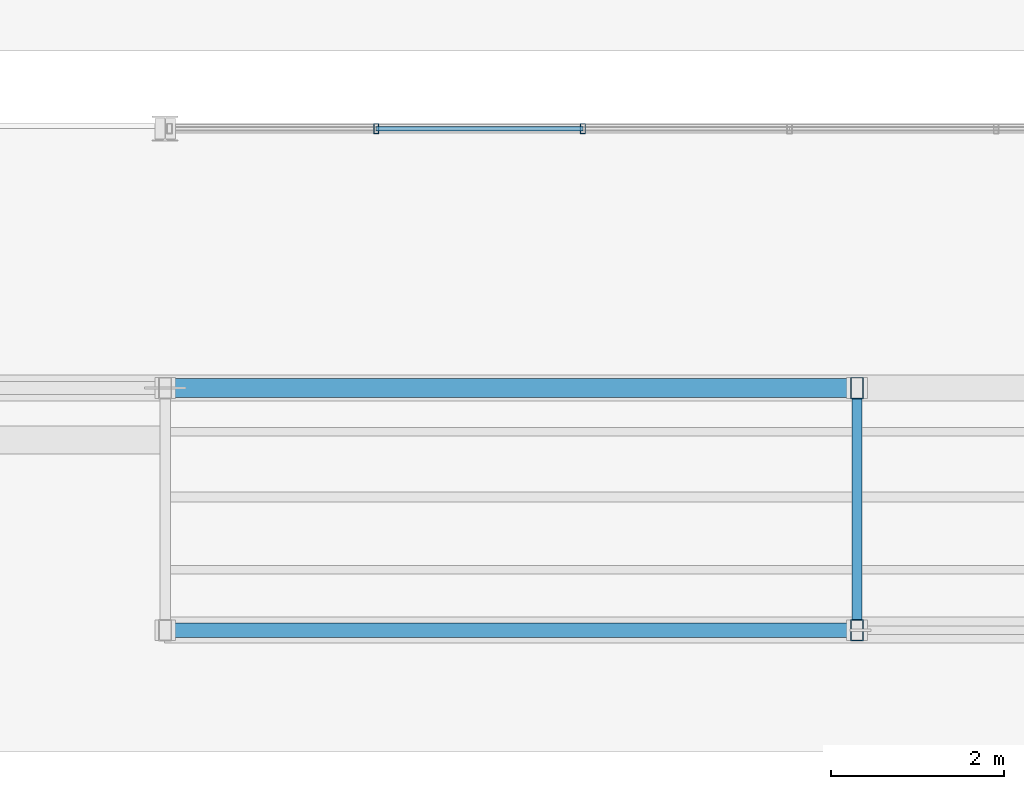
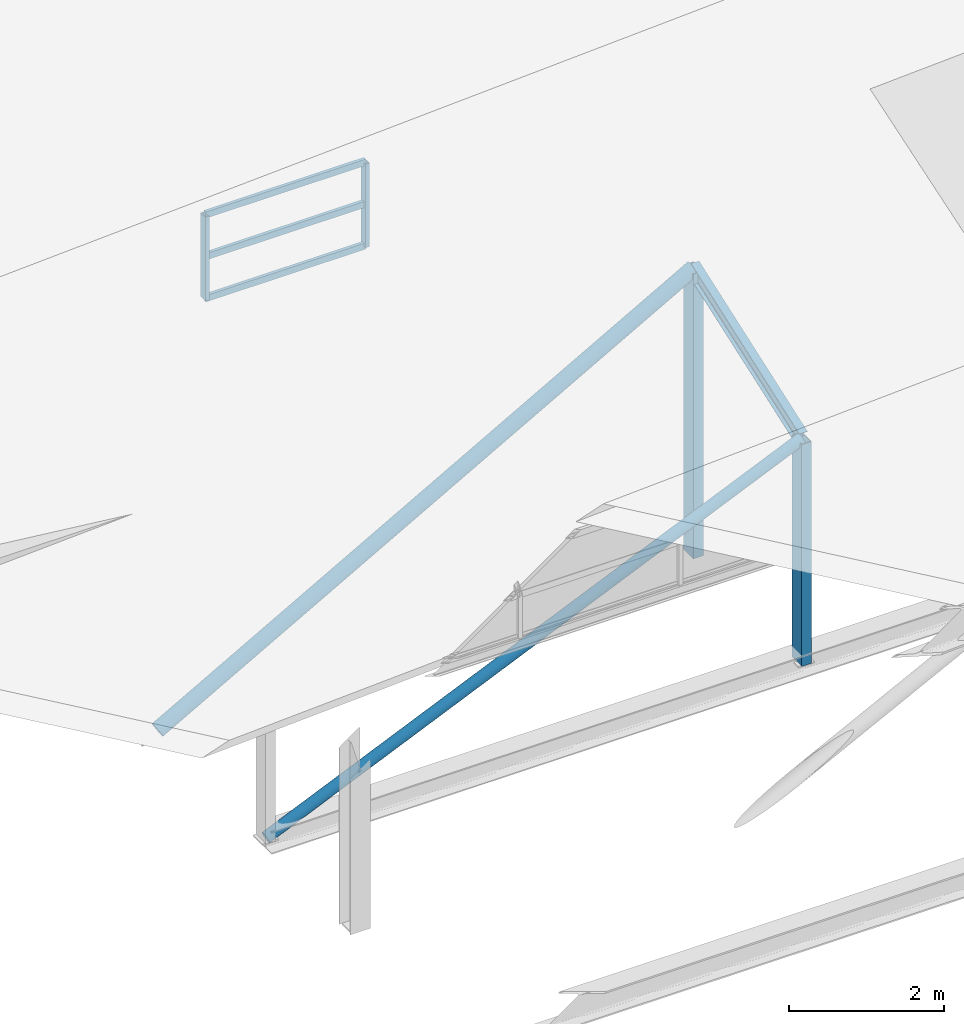
# One storey, part 72 of 141: 10 members, 1 element without a shape of its own.
"""IFC4 building model written with IfcOpenShell, lengths in metres."""

from ifc_helpers import new_model, si_unit, direction, frame, origin, origin_2d, place, context, subcontext, project, spatial, hollow_rectangle, hollow_circle, i_section, extrude, material, material_profile, profile_set, type_object, element, aggregate, save


model = new_model("IFC4")

# Units and contexts
model_context = context("Model", 3, precision=1e-05, world=origin(), true_north=direction((0.0, 1.0)))
body_context = subcontext(model_context, "Body", "Model", "MODEL_VIEW")
ifc_project = project(units=[si_unit("LENGTHUNIT", "METRE"), si_unit("AREAUNIT", "SQUARE_METRE"), si_unit("VOLUMEUNIT", "CUBIC_METRE"), si_unit("PLANEANGLEUNIT", "RADIAN"), si_unit("MASSUNIT", "GRAM", prefix="KILO")], contexts=[model_context])

# Site, building, storey
site_placement = place(None, origin())
site = spatial("IfcSite", under=ifc_project, at=site_placement, CompositionType="ELEMENT")
building_placement = place(site_placement, origin())
building = spatial("IfcBuilding", under=site, at=building_placement, Name="Sundkrona Museum", CompositionType="ELEMENT")
storey_placement = place(building_placement, frame((0.0, 0.0, 34.0)))
storey = spatial("IfcBuildingStorey", under=building, at=storey_placement, Name="RF", CompositionType="ELEMENT", Elevation=34.0)

# Curtain wall, members
ifc_material_1 = material(Name="Unitised Aluminium-Steel and Ceramic-Clad Curtain Walling", Category="steel")
curtain_wall_type = type_object("IfcCurtainWallType", Name="CW-SW-240x13", PredefinedType="NOTDEFINED", material=ifc_material_1)
curtain_wall_placement = place(storey_placement, origin())
curtain_wall = element("IfcCurtainWall", 1, at=curtain_wall_placement, inside=storey, type_object=curtain_wall_type, Name="Sawtooth Bay 5 West North-Light Clerestory", PredefinedType="NOTDEFINED")
ifc_material_2 = material(Name="Aluminium EN AW-6060 T66", Category="aluminium")
ifc_material_profile_1 = material_profile(ifc_material_2, hollow_rectangle(XDim=0.06005859375, YDim=0.1201171875, WallThickness=0.0048828125, at=origin_2d()), Name="RHS 120x60x5.0")
ifc_profile_set_1 = profile_set([ifc_material_profile_1], Name="Aluminium EN AW-6060 T66")
member_type_1 = type_object("IfcMemberType", Name="ML-120", PredefinedType="MULLION", material=ifc_profile_set_1)
member_1_placement = place(storey_placement, frame((122.43994140625, 34.60009765625, 3.89306640625), z_axis=(0.0, 0.0, 1.0), x_axis=(1.0, 0.0, 0.0)))
member_1 = element("IfcMember", 2, at=member_1_placement, type_object=member_type_1, Name="CW-RF-SAW-05W Mullion 02", PredefinedType="MULLION", context=body_context, shape_type="SweptSolid", body=[
    extrude(hollow_rectangle(XDim=0.06005859375, YDim=0.1201171875, WallThickness=0.0048828125, at=origin_2d()), origin(), (0.0, 0.0, 1.0), 1.31982421875),
])
member_2_placement = place(storey_placement, frame((124.830078125, 34.60009765625, 3.89306640625), z_axis=(0.0, 0.0, 1.0), x_axis=(1.0, 0.0, 0.0)))
member_2 = element("IfcMember", 3, at=member_2_placement, type_object=member_type_1, Name="CW-RF-SAW-05W Mullion 03", PredefinedType="MULLION", context=body_context, shape_type="SweptSolid", body=[
    extrude(hollow_rectangle(XDim=0.06005859375, YDim=0.1201171875, WallThickness=0.0048828125, at=origin_2d()), origin(), (0.0, 0.0, 1.0), 1.31982421875),
])

# Members
ifc_material_3 = material(Name="Steel S355J2", Category="steel")
ifc_material_profile_2 = material_profile(ifc_material_3, i_section(OverallWidth=0.1201171875, OverallDepth=0.239990234375, WebThickness=0.006103515625, FlangeThickness=0.009765625, FilletRadius=0.014892578125, at=origin_2d()), Name="IPE 240")
ifc_profile_set_2 = profile_set([ifc_material_profile_2], Name="Steel S355J2")
member_type_2 = type_object("IfcMemberType", Name="PR-IPE240", PredefinedType="PURLIN", material=ifc_profile_set_2)
member_3_placement = place(storey_placement, frame((128.0, 28.800048828125, 3.249755859375), z_axis=(0.0, 0.942754878846, 0.333486489099), x_axis=(-1.0, 0.0, 0.0)))
element("IfcMember", 4, at=member_3_placement, inside=storey, type_object=member_type_2, Name="RFS-1 Sawtooth Bay 5 Transverse Rafter 2", PredefinedType="PURLIN", context=body_context, shape_type="SweptSolid", body=[
    extrude(i_section(OverallWidth=0.1201171875, OverallDepth=0.239990234375, WebThickness=0.006103515625, FlangeThickness=0.009765625, FilletRadius=0.014892578125, at=origin_2d()), origin(), (0.0, 0.0, 1.0), 2.969970703125),
])
ifc_material_profile_3 = material_profile(ifc_material_3, hollow_circle(Radius=0.084228515625, WallThickness=0.008056640625, at=origin_2d()), Name="CHS 168.3x8.0")
ifc_profile_set_3 = profile_set([ifc_material_profile_3], Name="Steel S355J2")
member_type_3 = type_object("IfcMemberType", Name="ST-CHS168", PredefinedType="STRUT", material=ifc_profile_set_3)
member_4_placement = place(storey_placement, frame((120.0, 28.800048828125, -0.25), z_axis=(0.916167601593, 0.0, 0.40079536648), x_axis=(0.0, 1.0, 0.0)))
element("IfcMember", 5, at=member_4_placement, inside=storey, type_object=member_type_3, Name="RFS-1 Sawtooth Valley Truss 5 Web Strut 1", PredefinedType="STRUT", context=body_context, shape_type="SweptSolid", body=[
    extrude(hollow_circle(Radius=0.084228515625, WallThickness=0.008056640625, at=origin_2d()), origin(), (0.0, 0.0, 1.0), 8.73193359375),
])
ifc_material_profile_4 = material_profile(ifc_material_3, hollow_circle(Radius=0.109619140625, WallThickness=0.010009765625, at=origin_2d()), Name="CHS 219.1x10.0")
ifc_profile_set_4 = profile_set([ifc_material_profile_4], Name="Steel S355J2")
member_type_4 = type_object("IfcMemberType", Name="ST-CHS219", PredefinedType="STRUT", material=ifc_profile_set_4)
member_5_placement = place(storey_placement, frame((120.0, 31.60009765625, -0.25), z_axis=(0.872030018168, 0.0, 0.489452395451), x_axis=(0.0, 1.0, 0.0)))
element("IfcMember", 6, at=member_5_placement, inside=storey, type_object=member_type_4, Name="RFS-1 Sawtooth Truss 5 Web Strut 1", PredefinedType="STRUT", context=body_context, shape_type="SweptSolid", body=[
    extrude(hollow_circle(Radius=0.109619140625, WallThickness=0.010009765625, at=origin_2d()), origin(), (0.0, 0.0, 1.0), 9.174072265625),
])
ifc_material_profile_5 = material_profile(ifc_material_3, hollow_rectangle(XDim=0.14990234375, YDim=0.25, WallThickness=0.010009765625, at=origin_2d()), Name="RHS 250x150x10.0")
ifc_profile_set_5 = profile_set([ifc_material_profile_5], Name="Steel S355J2")
member_type_5 = type_object("IfcMemberType", Name="ST-RHS250", PredefinedType="STRUT", material=ifc_profile_set_5)
member_6_placement = place(storey_placement, frame((128.0, 31.60009765625, -0.25), z_axis=(0.0, 0.0, 1.0), x_axis=(1.0, 0.0, 0.0)))
element("IfcMember", 7, at=member_6_placement, inside=storey, type_object=member_type_5, Name="RFS-1 Sawtooth Truss 5 Vertical Post 2", PredefinedType="STRUT", context=body_context, shape_type="SweptSolid", body=[
    extrude(hollow_rectangle(XDim=0.14990234375, YDim=0.25, WallThickness=0.010009765625, at=origin_2d()), origin(), (0.0, 0.0, 1.0), 4.490234375),
])
member_7_placement = place(storey_placement, frame((128.0, 28.800048828125, -0.25), z_axis=(0.0, 0.0, 1.0), x_axis=(1.0, 0.0, 0.0)))
element("IfcMember", 8, at=member_7_placement, inside=storey, type_object=member_type_5, Name="RFS-1 Sawtooth Bay 5 Valley Post 2", PredefinedType="STRUT", context=body_context, shape_type="SweptSolid", body=[
    extrude(hollow_rectangle(XDim=0.14990234375, YDim=0.25, WallThickness=0.010009765625, at=origin_2d()), origin(), (0.0, 0.0, 1.0), 3.499755859375),
])

# Member
ifc_material_profile_6 = material_profile(ifc_material_2, hollow_rectangle(XDim=0.050048828125, YDim=0.10009765625, WallThickness=0.0048828125, at=origin_2d()), Name="RHS 100x50x5.0")
ifc_profile_set_6 = profile_set([ifc_material_profile_6], Name="Aluminium EN AW-6060 T66")
member_type_6 = type_object("IfcMemberType", Name="TR-100", PredefinedType="USERDEFINED", material=ifc_profile_set_6)
member_8_placement = place(storey_placement, frame((122.43994140625, 34.60009765625, 3.89306640625), z_axis=(1.0, 0.0, 0.0), x_axis=(0.0, 1.0, 0.0)))
member_8 = element("IfcMember", 9, at=member_8_placement, type_object=member_type_6, Name="CW-RF-SAW-05W Transom 04", ObjectType="TRANSOM", PredefinedType="USERDEFINED", context=body_context, shape_type="SweptSolid", body=[
    extrude(hollow_rectangle(XDim=0.050048828125, YDim=0.10009765625, WallThickness=0.0048828125, at=origin_2d()), origin(), (0.0, 0.0, 1.0), 2.39013671875),
])

member_9_placement = place(storey_placement, frame((122.43994140625, 34.60009765625, 4.552978515625), z_axis=(1.0, 0.0, 0.0), x_axis=(0.0, 1.0, 0.0)))
member_9 = element("IfcMember", 10, at=member_9_placement, type_object=member_type_6, Name="CW-RF-SAW-05W Transom 05", ObjectType="TRANSOM", PredefinedType="USERDEFINED", context=body_context, shape_type="SweptSolid", body=[
    extrude(hollow_rectangle(XDim=0.050048828125, YDim=0.10009765625, WallThickness=0.0048828125, at=origin_2d()), origin(), (0.0, 0.0, 1.0), 2.39013671875),
])

member_10_placement = place(storey_placement, frame((122.43994140625, 34.60009765625, 5.212890625), z_axis=(1.0, 0.0, 0.0), x_axis=(0.0, 1.0, 0.0)))
member_10 = element("IfcMember", 11, at=member_10_placement, type_object=member_type_6, Name="CW-RF-SAW-05W Transom 06", ObjectType="TRANSOM", PredefinedType="USERDEFINED", context=body_context, shape_type="SweptSolid", body=[
    extrude(hollow_rectangle(XDim=0.050048828125, YDim=0.10009765625, WallThickness=0.0048828125, at=origin_2d()), origin(), (0.0, 0.0, 1.0), 2.39013671875),
])

aggregate(curtain_wall, [member_1, member_2, member_8, member_9, member_10])

save(model, "model.ifc")
